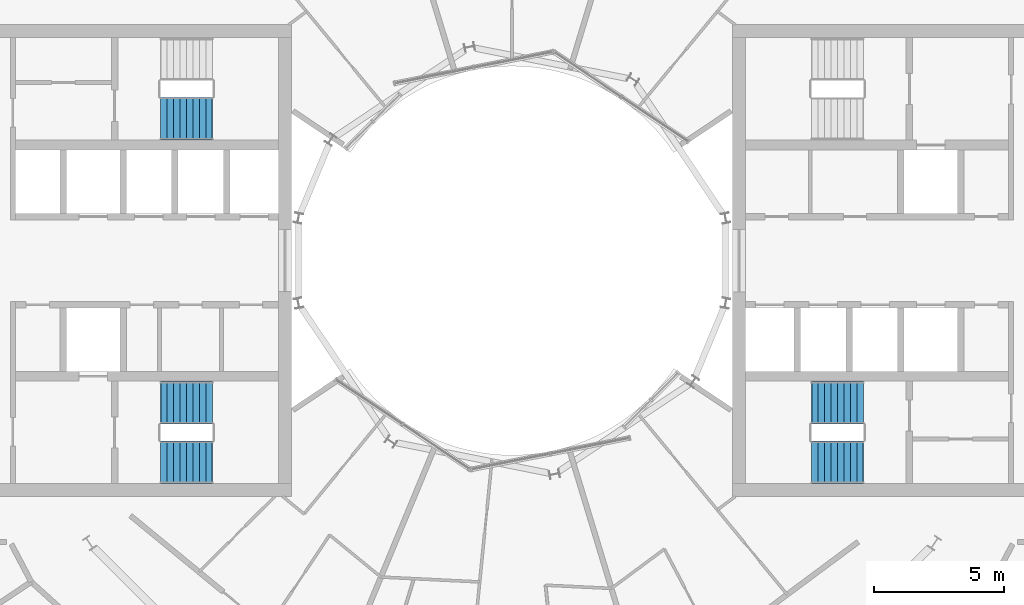
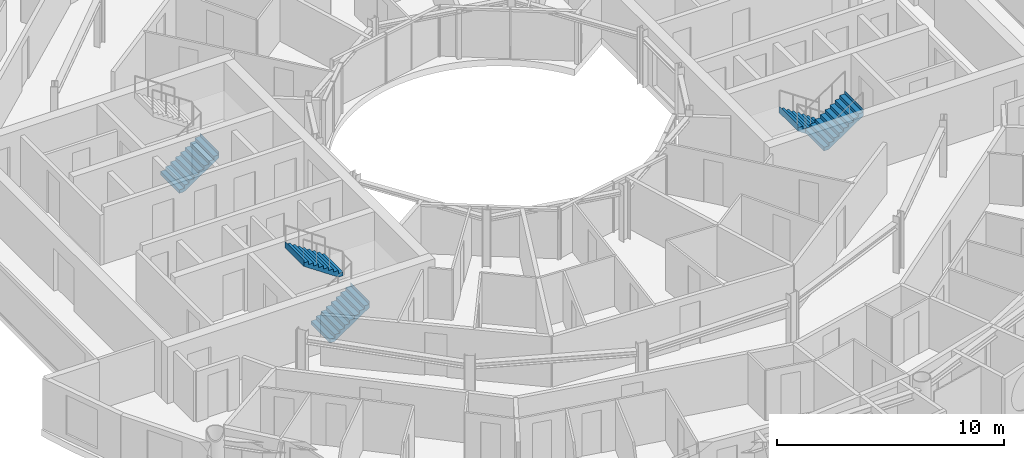
# One storey, part 24 of 26: 5 stair flights, 3 elements without a shape of their own.
"""IFC4 building model written with IfcOpenShell, lengths in metres."""

from ifc_helpers import new_model, si_unit, direction, frame, origin, place, context, subcontext, project, spatial, triangles, material, type_object, element, aggregate, save


model = new_model("IFC4")

# Units and contexts
model_context = context("Model", 3, precision=1e-05, world=origin(), true_north=direction((0.0, 1.0)))
body_context = subcontext(model_context, "Body", "Model", "MODEL_VIEW")
ifc_project = project(units=[si_unit("LENGTHUNIT", "METRE"), si_unit("AREAUNIT", "SQUARE_METRE"), si_unit("VOLUMEUNIT", "CUBIC_METRE"), si_unit("PLANEANGLEUNIT", "RADIAN"), si_unit("MASSUNIT", "GRAM", prefix="KILO")], contexts=[model_context])

# Site, building, storey
site_placement = place(None, origin())
site = spatial("IfcSite", under=ifc_project, at=site_placement, CompositionType="ELEMENT")
building_placement = place(site_placement, origin())
building = spatial("IfcBuilding", under=site, at=building_placement, Name="Maasbend Ring Residences", CompositionType="ELEMENT")
storey_placement = place(building_placement, frame((0.0, 0.0, 154.35009765625)))
storey = spatial("IfcBuildingStorey", under=building, at=storey_placement, Name="L44", CompositionType="ELEMENT", Elevation=154.35009765625)

# Stair, stair flights
ifc_material_1 = material(Name="Concrete C40/50", Category="concrete")
stair_type = type_object("IfcStairType", Name="CORE STAIR 18 RISERS", PredefinedType="HALF_TURN_STAIR", material=ifc_material_1)
stair_1_placement = place(storey_placement, origin())
stair_1 = element("IfcStair", 1, at=stair_1_placement, inside=storey, type_object=stair_type, Name="L44 Exit stair ST-E2", PredefinedType="HALF_TURN_STAIR")
ifc_material_2 = material(Name="Concrete C40/50", Category="concrete")
stair_flight_type = type_object("IfcStairFlightType", Name="CORE STAIR FLIGHT 1650", PredefinedType="STRAIGHT", material=ifc_material_2)
stair_flight_1_placement = place(storey_placement, frame((13.550048828125, -5.47509765625, 0.0), z_axis=(0.0, 0.0, 1.0), x_axis=(-1.0, 0.0, 0.0)))
stair_flight_1 = element("IfcStairFlight", 2, at=stair_flight_1_placement, type_object=stair_flight_type, Name="ST-E2 flight 1", NumberOfRisers=9, NumberOfTreads=8, PredefinedType="STRAIGHT", RiserHeight=0.169444444, TreadLength=0.25, context=body_context, shape_type="Tessellation", body=[
    triangles([(0.24072265625, 0.824951171875, -0.02001953125), (2.0029296875, 0.824951171875, 1.174560546875), (2.0029296875, 0.824951171875, 1.52490234375), (1.989990234375, 0.824951171875, 1.35546875), (1.75, 0.824951171875, 1.35546875), (1.75, 0.824951171875, 1.18603515625), (1.5, 0.824951171875, 1.18603515625), (1.5, 0.824951171875, 1.0166015625), (1.25, 0.824951171875, 1.0166015625), (1.25, 0.824951171875, 0.84716796875), (1.0, 0.824951171875, 0.84716796875), (1.0, 0.824951171875, 0.677734375), (0.75, 0.824951171875, 0.677734375), (0.75, 0.824951171875, 0.50830078125), (0.5, 0.824951171875, 0.50830078125), (0.5, 0.824951171875, 0.3388671875), (0.25, 0.824951171875, 0.3388671875), (0.25, 0.824951171875, 0.16943359375), (0.0, 0.824951171875, 0.16943359375), (0.0, 0.824951171875, 0.0), (-0.0029296875, 0.824951171875, 0.0), (-0.0029296875, 0.824951171875, -0.02001953125), (0.24072265625, 0.27490234375, -0.02001953125), (2.0029296875, 0.27490234375, 1.174560546875), (2.0029296875, 0.27490234375, 1.52490234375), (1.989990234375, 0.27490234375, 1.35546875), (1.75, 0.27490234375, 1.35546875), (1.75, 0.27490234375, 1.18603515625), (1.5, 0.27490234375, 1.18603515625), (1.5, 0.27490234375, 1.0166015625), (1.25, 0.27490234375, 1.0166015625), (1.25, 0.27490234375, 0.84716796875), (1.0, 0.27490234375, 0.84716796875), (1.0, 0.27490234375, 0.677734375), (0.75, 0.27490234375, 0.677734375), (0.75, 0.27490234375, 0.50830078125), (0.5, 0.27490234375, 0.50830078125), (0.5, 0.27490234375, 0.3388671875), (0.25, 0.27490234375, 0.3388671875), (0.25, 0.27490234375, 0.16943359375), (0.0, 0.27490234375, 0.16943359375), (0.0, 0.27490234375, 0.0), (-0.0029296875, 0.27490234375, 0.0), (-0.0029296875, 0.27490234375, -0.02001953125), (0.24072265625, -0.27490234375, -0.02001953125), (2.0029296875, -0.27490234375, 1.174560546875), (2.0029296875, -0.27490234375, 1.52490234375), (1.989990234375, -0.27490234375, 1.35546875), (1.75, -0.27490234375, 1.35546875), (1.75, -0.27490234375, 1.18603515625), (1.5, -0.27490234375, 1.18603515625), (1.5, -0.27490234375, 1.0166015625), (1.25, -0.27490234375, 1.0166015625), (1.25, -0.27490234375, 0.84716796875), (1.0, -0.27490234375, 0.84716796875), (1.0, -0.27490234375, 0.677734375), (0.75, -0.27490234375, 0.677734375), (0.75, -0.27490234375, 0.50830078125), (0.5, -0.27490234375, 0.50830078125), (0.5, -0.27490234375, 0.3388671875), (0.25, -0.27490234375, 0.3388671875), (0.25, -0.27490234375, 0.16943359375), (0.0, -0.27490234375, 0.16943359375), (0.0, -0.27490234375, 0.0), (-0.0029296875, -0.27490234375, 0.0), (-0.0029296875, -0.27490234375, -0.02001953125), (0.24072265625, -0.824951171875, -0.02001953125), (2.0029296875, -0.824951171875, 1.174560546875), (2.0029296875, -0.824951171875, 1.52490234375), (1.989990234375, -0.824951171875, 1.35546875), (1.75, -0.824951171875, 1.35546875), (1.75, -0.824951171875, 1.18603515625), (1.5, -0.824951171875, 1.18603515625), (1.5, -0.824951171875, 1.0166015625), (1.25, -0.824951171875, 1.0166015625), (1.25, -0.824951171875, 0.84716796875), (1.0, -0.824951171875, 0.84716796875), (1.0, -0.824951171875, 0.677734375), (0.75, -0.824951171875, 0.677734375), (0.75, -0.824951171875, 0.50830078125), (0.5, -0.824951171875, 0.50830078125), (0.5, -0.824951171875, 0.3388671875), (0.25, -0.824951171875, 0.3388671875), (0.25, -0.824951171875, 0.16943359375), (0.0, -0.824951171875, 0.16943359375), (0.0, -0.824951171875, 0.0), (-0.0029296875, -0.824951171875, 0.0), (-0.0029296875, -0.824951171875, -0.02001953125)], [[1, 2, 24], [1, 24, 23], [23, 24, 46], [23, 46, 45], [45, 46, 68], [45, 68, 67], [2, 3, 25], [2, 25, 24], [24, 25, 47], [24, 47, 46], [46, 47, 69], [46, 69, 68], [3, 4, 26], [3, 26, 25], [25, 26, 48], [25, 48, 47], [47, 48, 70], [47, 70, 69], [4, 5, 27], [4, 27, 26], [26, 27, 49], [26, 49, 48], [48, 49, 71], [48, 71, 70], [5, 6, 28], [5, 28, 27], [27, 28, 50], [27, 50, 49], [49, 50, 72], [49, 72, 71], [6, 7, 29], [6, 29, 28], [28, 29, 51], [28, 51, 50], [50, 51, 73], [50, 73, 72], [7, 8, 30], [7, 30, 29], [29, 30, 52], [29, 52, 51], [51, 52, 74], [51, 74, 73], [8, 9, 31], [8, 31, 30], [30, 31, 53], [30, 53, 52], [52, 53, 75], [52, 75, 74], [9, 10, 32], [9, 32, 31], [31, 32, 54], [31, 54, 53], [53, 54, 76], [53, 76, 75], [10, 11, 33], [10, 33, 32], [32, 33, 55], [32, 55, 54], [54, 55, 77], [54, 77, 76], [11, 12, 34], [11, 34, 33], [33, 34, 56], [33, 56, 55], [55, 56, 78], [55, 78, 77], [12, 13, 35], [12, 35, 34], [34, 35, 57], [34, 57, 56], [56, 57, 79], [56, 79, 78], [13, 14, 36], [13, 36, 35], [35, 36, 58], [35, 58, 57], [57, 58, 80], [57, 80, 79], [14, 15, 37], [14, 37, 36], [36, 37, 59], [36, 59, 58], [58, 59, 81], [58, 81, 80], [15, 16, 38], [15, 38, 37], [37, 38, 60], [37, 60, 59], [59, 60, 82], [59, 82, 81], [16, 17, 39], [16, 39, 38], [38, 39, 61], [38, 61, 60], [60, 61, 83], [60, 83, 82], [17, 18, 40], [17, 40, 39], [39, 40, 62], [39, 62, 61], [61, 62, 84], [61, 84, 83], [18, 19, 41], [18, 41, 40], [40, 41, 63], [40, 63, 62], [62, 63, 85], [62, 85, 84], [19, 20, 42], [19, 42, 41], [41, 42, 64], [41, 64, 63], [63, 64, 86], [63, 86, 85], [20, 21, 43], [20, 43, 42], [42, 43, 65], [42, 65, 64], [64, 65, 87], [64, 87, 86], [21, 22, 44], [21, 44, 43], [43, 44, 66], [43, 66, 65], [65, 66, 88], [65, 88, 87], [22, 1, 23], [22, 23, 44], [44, 23, 45], [44, 45, 66], [66, 45, 67], [66, 67, 88], [22, 2, 1], [2, 4, 3], [2, 5, 4], [2, 6, 5], [22, 6, 2], [6, 8, 7], [22, 8, 6], [8, 10, 9], [22, 10, 8], [10, 12, 11], [22, 12, 10], [12, 14, 13], [22, 14, 12], [14, 16, 15], [22, 16, 14], [16, 18, 17], [22, 18, 16], [18, 20, 19], [22, 20, 18], [20, 22, 21], [88, 67, 68], [68, 69, 70], [68, 70, 71], [68, 71, 72], [88, 68, 72], [72, 73, 74], [88, 72, 74], [74, 75, 76], [88, 74, 76], [76, 77, 78], [88, 76, 78], [78, 79, 80], [88, 78, 80], [80, 81, 82], [88, 80, 82], [82, 83, 84], [88, 82, 84], [84, 85, 86], [88, 84, 86], [86, 87, 88]], closed=True),
])
stair_flight_2_placement = place(storey_placement, frame((11.550048828125, -7.77490234375, 1.52490234375), z_axis=(0.0, 0.0, 1.0), x_axis=(1.0, 0.0, 0.0)))
stair_flight_2 = element("IfcStairFlight", 3, at=stair_flight_2_placement, type_object=stair_flight_type, Name="ST-E2 flight 2", NumberOfRisers=9, NumberOfTreads=8, PredefinedType="STRAIGHT", RiserHeight=0.169444444, TreadLength=0.25, context=body_context, shape_type="Tessellation", body=[
    triangles([(0.24072265625, 0.824951171875, -0.02001953125), (2.0029296875, 0.824951171875, 1.174560546875), (2.0029296875, 0.824951171875, 1.52490234375), (1.989990234375, 0.824951171875, 1.35546875), (1.75, 0.824951171875, 1.35546875), (1.75, 0.824951171875, 1.18603515625), (1.5, 0.824951171875, 1.18603515625), (1.5, 0.824951171875, 1.0166015625), (1.25, 0.824951171875, 1.0166015625), (1.25, 0.824951171875, 0.84716796875), (1.0, 0.824951171875, 0.84716796875), (1.0, 0.824951171875, 0.677734375), (0.75, 0.824951171875, 0.677734375), (0.75, 0.824951171875, 0.50830078125), (0.5, 0.824951171875, 0.50830078125), (0.5, 0.824951171875, 0.3388671875), (0.25, 0.824951171875, 0.3388671875), (0.25, 0.824951171875, 0.16943359375), (0.0, 0.824951171875, 0.16943359375), (0.0, 0.824951171875, 0.0), (-0.0029296875, 0.824951171875, 0.0), (-0.0029296875, 0.824951171875, -0.02001953125), (0.24072265625, 0.27490234375, -0.02001953125), (2.0029296875, 0.27490234375, 1.174560546875), (2.0029296875, 0.27490234375, 1.52490234375), (1.989990234375, 0.27490234375, 1.35546875), (1.75, 0.27490234375, 1.35546875), (1.75, 0.27490234375, 1.18603515625), (1.5, 0.27490234375, 1.18603515625), (1.5, 0.27490234375, 1.0166015625), (1.25, 0.27490234375, 1.0166015625), (1.25, 0.27490234375, 0.84716796875), (1.0, 0.27490234375, 0.84716796875), (1.0, 0.27490234375, 0.677734375), (0.75, 0.27490234375, 0.677734375), (0.75, 0.27490234375, 0.50830078125), (0.5, 0.27490234375, 0.50830078125), (0.5, 0.27490234375, 0.3388671875), (0.25, 0.27490234375, 0.3388671875), (0.25, 0.27490234375, 0.16943359375), (0.0, 0.27490234375, 0.16943359375), (0.0, 0.27490234375, 0.0), (-0.0029296875, 0.27490234375, 0.0), (-0.0029296875, 0.27490234375, -0.02001953125), (0.24072265625, -0.27490234375, -0.02001953125), (2.0029296875, -0.27490234375, 1.174560546875), (2.0029296875, -0.27490234375, 1.52490234375), (1.989990234375, -0.27490234375, 1.35546875), (1.75, -0.27490234375, 1.35546875), (1.75, -0.27490234375, 1.18603515625), (1.5, -0.27490234375, 1.18603515625), (1.5, -0.27490234375, 1.0166015625), (1.25, -0.27490234375, 1.0166015625), (1.25, -0.27490234375, 0.84716796875), (1.0, -0.27490234375, 0.84716796875), (1.0, -0.27490234375, 0.677734375), (0.75, -0.27490234375, 0.677734375), (0.75, -0.27490234375, 0.50830078125), (0.5, -0.27490234375, 0.50830078125), (0.5, -0.27490234375, 0.3388671875), (0.25, -0.27490234375, 0.3388671875), (0.25, -0.27490234375, 0.16943359375), (0.0, -0.27490234375, 0.16943359375), (0.0, -0.27490234375, 0.0), (-0.0029296875, -0.27490234375, 0.0), (-0.0029296875, -0.27490234375, -0.02001953125), (0.24072265625, -0.824951171875, -0.02001953125), (2.0029296875, -0.824951171875, 1.174560546875), (2.0029296875, -0.824951171875, 1.52490234375), (1.989990234375, -0.824951171875, 1.35546875), (1.75, -0.824951171875, 1.35546875), (1.75, -0.824951171875, 1.18603515625), (1.5, -0.824951171875, 1.18603515625), (1.5, -0.824951171875, 1.0166015625), (1.25, -0.824951171875, 1.0166015625), (1.25, -0.824951171875, 0.84716796875), (1.0, -0.824951171875, 0.84716796875), (1.0, -0.824951171875, 0.677734375), (0.75, -0.824951171875, 0.677734375), (0.75, -0.824951171875, 0.50830078125), (0.5, -0.824951171875, 0.50830078125), (0.5, -0.824951171875, 0.3388671875), (0.25, -0.824951171875, 0.3388671875), (0.25, -0.824951171875, 0.16943359375), (0.0, -0.824951171875, 0.16943359375), (0.0, -0.824951171875, 0.0), (-0.0029296875, -0.824951171875, 0.0), (-0.0029296875, -0.824951171875, -0.02001953125)], [[1, 2, 24], [1, 24, 23], [23, 24, 46], [23, 46, 45], [45, 46, 68], [45, 68, 67], [2, 3, 25], [2, 25, 24], [24, 25, 47], [24, 47, 46], [46, 47, 69], [46, 69, 68], [3, 4, 26], [3, 26, 25], [25, 26, 48], [25, 48, 47], [47, 48, 70], [47, 70, 69], [4, 5, 27], [4, 27, 26], [26, 27, 49], [26, 49, 48], [48, 49, 71], [48, 71, 70], [5, 6, 28], [5, 28, 27], [27, 28, 50], [27, 50, 49], [49, 50, 72], [49, 72, 71], [6, 7, 29], [6, 29, 28], [28, 29, 51], [28, 51, 50], [50, 51, 73], [50, 73, 72], [7, 8, 30], [7, 30, 29], [29, 30, 52], [29, 52, 51], [51, 52, 74], [51, 74, 73], [8, 9, 31], [8, 31, 30], [30, 31, 53], [30, 53, 52], [52, 53, 75], [52, 75, 74], [9, 10, 32], [9, 32, 31], [31, 32, 54], [31, 54, 53], [53, 54, 76], [53, 76, 75], [10, 11, 33], [10, 33, 32], [32, 33, 55], [32, 55, 54], [54, 55, 77], [54, 77, 76], [11, 12, 34], [11, 34, 33], [33, 34, 56], [33, 56, 55], [55, 56, 78], [55, 78, 77], [12, 13, 35], [12, 35, 34], [34, 35, 57], [34, 57, 56], [56, 57, 79], [56, 79, 78], [13, 14, 36], [13, 36, 35], [35, 36, 58], [35, 58, 57], [57, 58, 80], [57, 80, 79], [14, 15, 37], [14, 37, 36], [36, 37, 59], [36, 59, 58], [58, 59, 81], [58, 81, 80], [15, 16, 38], [15, 38, 37], [37, 38, 60], [37, 60, 59], [59, 60, 82], [59, 82, 81], [16, 17, 39], [16, 39, 38], [38, 39, 61], [38, 61, 60], [60, 61, 83], [60, 83, 82], [17, 18, 40], [17, 40, 39], [39, 40, 62], [39, 62, 61], [61, 62, 84], [61, 84, 83], [18, 19, 41], [18, 41, 40], [40, 41, 63], [40, 63, 62], [62, 63, 85], [62, 85, 84], [19, 20, 42], [19, 42, 41], [41, 42, 64], [41, 64, 63], [63, 64, 86], [63, 86, 85], [20, 21, 43], [20, 43, 42], [42, 43, 65], [42, 65, 64], [64, 65, 87], [64, 87, 86], [21, 22, 44], [21, 44, 43], [43, 44, 66], [43, 66, 65], [65, 66, 88], [65, 88, 87], [22, 1, 23], [22, 23, 44], [44, 23, 45], [44, 45, 66], [66, 45, 67], [66, 67, 88], [22, 2, 1], [2, 4, 3], [2, 5, 4], [2, 6, 5], [22, 6, 2], [6, 8, 7], [22, 8, 6], [8, 10, 9], [22, 10, 8], [10, 12, 11], [22, 12, 10], [12, 14, 13], [22, 14, 12], [14, 16, 15], [22, 16, 14], [16, 18, 17], [22, 18, 16], [18, 20, 19], [22, 20, 18], [20, 22, 21], [88, 67, 68], [68, 69, 70], [68, 70, 71], [68, 71, 72], [88, 68, 72], [72, 73, 74], [88, 72, 74], [74, 75, 76], [88, 74, 76], [76, 77, 78], [88, 76, 78], [78, 79, 80], [88, 78, 80], [80, 81, 82], [88, 80, 82], [82, 83, 84], [88, 82, 84], [84, 85, 86], [88, 84, 86], [86, 87, 88]], closed=True),
])
aggregate(stair_1, [stair_flight_1, stair_flight_2])

stair_2_placement = place(storey_placement, origin())
stair_2 = element("IfcStair", 4, at=stair_2_placement, inside=storey, type_object=stair_type, Name="L44 Exit stair ST-W1", PredefinedType="HALF_TURN_STAIR")
stair_flight_3_placement = place(storey_placement, frame((-13.550048828125, -7.77490234375, 0.0), z_axis=(0.0, 0.0, 1.0), x_axis=(1.0, 0.0, 0.0)))
stair_flight_3 = element("IfcStairFlight", 5, at=stair_flight_3_placement, type_object=stair_flight_type, Name="ST-W1 flight 1", NumberOfRisers=9, NumberOfTreads=8, PredefinedType="STRAIGHT", RiserHeight=0.169444444, TreadLength=0.25, context=body_context, shape_type="Tessellation", body=[
    triangles([(0.24072265625, 0.824951171875, -0.02001953125), (2.0029296875, 0.824951171875, 1.174560546875), (2.0029296875, 0.824951171875, 1.52490234375), (1.989990234375, 0.824951171875, 1.35546875), (1.75, 0.824951171875, 1.35546875), (1.75, 0.824951171875, 1.18603515625), (1.5, 0.824951171875, 1.18603515625), (1.5, 0.824951171875, 1.0166015625), (1.25, 0.824951171875, 1.0166015625), (1.25, 0.824951171875, 0.84716796875), (1.0, 0.824951171875, 0.84716796875), (1.0, 0.824951171875, 0.677734375), (0.75, 0.824951171875, 0.677734375), (0.75, 0.824951171875, 0.50830078125), (0.5, 0.824951171875, 0.50830078125), (0.5, 0.824951171875, 0.3388671875), (0.25, 0.824951171875, 0.3388671875), (0.25, 0.824951171875, 0.16943359375), (0.0, 0.824951171875, 0.16943359375), (0.0, 0.824951171875, 0.0), (-0.0029296875, 0.824951171875, 0.0), (-0.0029296875, 0.824951171875, -0.02001953125), (0.24072265625, 0.27490234375, -0.02001953125), (2.0029296875, 0.27490234375, 1.174560546875), (2.0029296875, 0.27490234375, 1.52490234375), (1.989990234375, 0.27490234375, 1.35546875), (1.75, 0.27490234375, 1.35546875), (1.75, 0.27490234375, 1.18603515625), (1.5, 0.27490234375, 1.18603515625), (1.5, 0.27490234375, 1.0166015625), (1.25, 0.27490234375, 1.0166015625), (1.25, 0.27490234375, 0.84716796875), (1.0, 0.27490234375, 0.84716796875), (1.0, 0.27490234375, 0.677734375), (0.75, 0.27490234375, 0.677734375), (0.75, 0.27490234375, 0.50830078125), (0.5, 0.27490234375, 0.50830078125), (0.5, 0.27490234375, 0.3388671875), (0.25, 0.27490234375, 0.3388671875), (0.25, 0.27490234375, 0.16943359375), (0.0, 0.27490234375, 0.16943359375), (0.0, 0.27490234375, 0.0), (-0.0029296875, 0.27490234375, 0.0), (-0.0029296875, 0.27490234375, -0.02001953125), (0.24072265625, -0.27490234375, -0.02001953125), (2.0029296875, -0.27490234375, 1.174560546875), (2.0029296875, -0.27490234375, 1.52490234375), (1.989990234375, -0.27490234375, 1.35546875), (1.75, -0.27490234375, 1.35546875), (1.75, -0.27490234375, 1.18603515625), (1.5, -0.27490234375, 1.18603515625), (1.5, -0.27490234375, 1.0166015625), (1.25, -0.27490234375, 1.0166015625), (1.25, -0.27490234375, 0.84716796875), (1.0, -0.27490234375, 0.84716796875), (1.0, -0.27490234375, 0.677734375), (0.75, -0.27490234375, 0.677734375), (0.75, -0.27490234375, 0.50830078125), (0.5, -0.27490234375, 0.50830078125), (0.5, -0.27490234375, 0.3388671875), (0.25, -0.27490234375, 0.3388671875), (0.25, -0.27490234375, 0.16943359375), (0.0, -0.27490234375, 0.16943359375), (0.0, -0.27490234375, 0.0), (-0.0029296875, -0.27490234375, 0.0), (-0.0029296875, -0.27490234375, -0.02001953125), (0.24072265625, -0.824951171875, -0.02001953125), (2.0029296875, -0.824951171875, 1.174560546875), (2.0029296875, -0.824951171875, 1.52490234375), (1.989990234375, -0.824951171875, 1.35546875), (1.75, -0.824951171875, 1.35546875), (1.75, -0.824951171875, 1.18603515625), (1.5, -0.824951171875, 1.18603515625), (1.5, -0.824951171875, 1.0166015625), (1.25, -0.824951171875, 1.0166015625), (1.25, -0.824951171875, 0.84716796875), (1.0, -0.824951171875, 0.84716796875), (1.0, -0.824951171875, 0.677734375), (0.75, -0.824951171875, 0.677734375), (0.75, -0.824951171875, 0.50830078125), (0.5, -0.824951171875, 0.50830078125), (0.5, -0.824951171875, 0.3388671875), (0.25, -0.824951171875, 0.3388671875), (0.25, -0.824951171875, 0.16943359375), (0.0, -0.824951171875, 0.16943359375), (0.0, -0.824951171875, 0.0), (-0.0029296875, -0.824951171875, 0.0), (-0.0029296875, -0.824951171875, -0.02001953125)], [[1, 2, 24], [1, 24, 23], [23, 24, 46], [23, 46, 45], [45, 46, 68], [45, 68, 67], [2, 3, 25], [2, 25, 24], [24, 25, 47], [24, 47, 46], [46, 47, 69], [46, 69, 68], [3, 4, 26], [3, 26, 25], [25, 26, 48], [25, 48, 47], [47, 48, 70], [47, 70, 69], [4, 5, 27], [4, 27, 26], [26, 27, 49], [26, 49, 48], [48, 49, 71], [48, 71, 70], [5, 6, 28], [5, 28, 27], [27, 28, 50], [27, 50, 49], [49, 50, 72], [49, 72, 71], [6, 7, 29], [6, 29, 28], [28, 29, 51], [28, 51, 50], [50, 51, 73], [50, 73, 72], [7, 8, 30], [7, 30, 29], [29, 30, 52], [29, 52, 51], [51, 52, 74], [51, 74, 73], [8, 9, 31], [8, 31, 30], [30, 31, 53], [30, 53, 52], [52, 53, 75], [52, 75, 74], [9, 10, 32], [9, 32, 31], [31, 32, 54], [31, 54, 53], [53, 54, 76], [53, 76, 75], [10, 11, 33], [10, 33, 32], [32, 33, 55], [32, 55, 54], [54, 55, 77], [54, 77, 76], [11, 12, 34], [11, 34, 33], [33, 34, 56], [33, 56, 55], [55, 56, 78], [55, 78, 77], [12, 13, 35], [12, 35, 34], [34, 35, 57], [34, 57, 56], [56, 57, 79], [56, 79, 78], [13, 14, 36], [13, 36, 35], [35, 36, 58], [35, 58, 57], [57, 58, 80], [57, 80, 79], [14, 15, 37], [14, 37, 36], [36, 37, 59], [36, 59, 58], [58, 59, 81], [58, 81, 80], [15, 16, 38], [15, 38, 37], [37, 38, 60], [37, 60, 59], [59, 60, 82], [59, 82, 81], [16, 17, 39], [16, 39, 38], [38, 39, 61], [38, 61, 60], [60, 61, 83], [60, 83, 82], [17, 18, 40], [17, 40, 39], [39, 40, 62], [39, 62, 61], [61, 62, 84], [61, 84, 83], [18, 19, 41], [18, 41, 40], [40, 41, 63], [40, 63, 62], [62, 63, 85], [62, 85, 84], [19, 20, 42], [19, 42, 41], [41, 42, 64], [41, 64, 63], [63, 64, 86], [63, 86, 85], [20, 21, 43], [20, 43, 42], [42, 43, 65], [42, 65, 64], [64, 65, 87], [64, 87, 86], [21, 22, 44], [21, 44, 43], [43, 44, 66], [43, 66, 65], [65, 66, 88], [65, 88, 87], [22, 1, 23], [22, 23, 44], [44, 23, 45], [44, 45, 66], [66, 45, 67], [66, 67, 88], [22, 2, 1], [2, 4, 3], [2, 5, 4], [2, 6, 5], [22, 6, 2], [6, 8, 7], [22, 8, 6], [8, 10, 9], [22, 10, 8], [10, 12, 11], [22, 12, 10], [12, 14, 13], [22, 14, 12], [14, 16, 15], [22, 16, 14], [16, 18, 17], [22, 18, 16], [18, 20, 19], [22, 20, 18], [20, 22, 21], [88, 67, 68], [68, 69, 70], [68, 70, 71], [68, 71, 72], [88, 68, 72], [72, 73, 74], [88, 72, 74], [74, 75, 76], [88, 74, 76], [76, 77, 78], [88, 76, 78], [78, 79, 80], [88, 78, 80], [80, 81, 82], [88, 80, 82], [82, 83, 84], [88, 82, 84], [84, 85, 86], [88, 84, 86], [86, 87, 88]], closed=True),
])
stair_flight_4_placement = place(storey_placement, frame((-11.550048828125, -5.47509765625, 1.52490234375), z_axis=(0.0, 0.0, 1.0), x_axis=(-1.0, 0.0, 0.0)))
stair_flight_4 = element("IfcStairFlight", 6, at=stair_flight_4_placement, type_object=stair_flight_type, Name="ST-W1 flight 2", NumberOfRisers=9, NumberOfTreads=8, PredefinedType="STRAIGHT", RiserHeight=0.169444444, TreadLength=0.25, context=body_context, shape_type="Tessellation", body=[
    triangles([(0.24072265625, 0.824951171875, -0.02001953125), (2.0029296875, 0.824951171875, 1.174560546875), (2.0029296875, 0.824951171875, 1.52490234375), (1.989990234375, 0.824951171875, 1.35546875), (1.75, 0.824951171875, 1.35546875), (1.75, 0.824951171875, 1.18603515625), (1.5, 0.824951171875, 1.18603515625), (1.5, 0.824951171875, 1.0166015625), (1.25, 0.824951171875, 1.0166015625), (1.25, 0.824951171875, 0.84716796875), (1.0, 0.824951171875, 0.84716796875), (1.0, 0.824951171875, 0.677734375), (0.75, 0.824951171875, 0.677734375), (0.75, 0.824951171875, 0.50830078125), (0.5, 0.824951171875, 0.50830078125), (0.5, 0.824951171875, 0.3388671875), (0.25, 0.824951171875, 0.3388671875), (0.25, 0.824951171875, 0.16943359375), (0.0, 0.824951171875, 0.16943359375), (0.0, 0.824951171875, 0.0), (-0.0029296875, 0.824951171875, 0.0), (-0.0029296875, 0.824951171875, -0.02001953125), (0.24072265625, 0.27490234375, -0.02001953125), (2.0029296875, 0.27490234375, 1.174560546875), (2.0029296875, 0.27490234375, 1.52490234375), (1.989990234375, 0.27490234375, 1.35546875), (1.75, 0.27490234375, 1.35546875), (1.75, 0.27490234375, 1.18603515625), (1.5, 0.27490234375, 1.18603515625), (1.5, 0.27490234375, 1.0166015625), (1.25, 0.27490234375, 1.0166015625), (1.25, 0.27490234375, 0.84716796875), (1.0, 0.27490234375, 0.84716796875), (1.0, 0.27490234375, 0.677734375), (0.75, 0.27490234375, 0.677734375), (0.75, 0.27490234375, 0.50830078125), (0.5, 0.27490234375, 0.50830078125), (0.5, 0.27490234375, 0.3388671875), (0.25, 0.27490234375, 0.3388671875), (0.25, 0.27490234375, 0.16943359375), (0.0, 0.27490234375, 0.16943359375), (0.0, 0.27490234375, 0.0), (-0.0029296875, 0.27490234375, 0.0), (-0.0029296875, 0.27490234375, -0.02001953125), (0.24072265625, -0.27490234375, -0.02001953125), (2.0029296875, -0.27490234375, 1.174560546875), (2.0029296875, -0.27490234375, 1.52490234375), (1.989990234375, -0.27490234375, 1.35546875), (1.75, -0.27490234375, 1.35546875), (1.75, -0.27490234375, 1.18603515625), (1.5, -0.27490234375, 1.18603515625), (1.5, -0.27490234375, 1.0166015625), (1.25, -0.27490234375, 1.0166015625), (1.25, -0.27490234375, 0.84716796875), (1.0, -0.27490234375, 0.84716796875), (1.0, -0.27490234375, 0.677734375), (0.75, -0.27490234375, 0.677734375), (0.75, -0.27490234375, 0.50830078125), (0.5, -0.27490234375, 0.50830078125), (0.5, -0.27490234375, 0.3388671875), (0.25, -0.27490234375, 0.3388671875), (0.25, -0.27490234375, 0.16943359375), (0.0, -0.27490234375, 0.16943359375), (0.0, -0.27490234375, 0.0), (-0.0029296875, -0.27490234375, 0.0), (-0.0029296875, -0.27490234375, -0.02001953125), (0.24072265625, -0.824951171875, -0.02001953125), (2.0029296875, -0.824951171875, 1.174560546875), (2.0029296875, -0.824951171875, 1.52490234375), (1.989990234375, -0.824951171875, 1.35546875), (1.75, -0.824951171875, 1.35546875), (1.75, -0.824951171875, 1.18603515625), (1.5, -0.824951171875, 1.18603515625), (1.5, -0.824951171875, 1.0166015625), (1.25, -0.824951171875, 1.0166015625), (1.25, -0.824951171875, 0.84716796875), (1.0, -0.824951171875, 0.84716796875), (1.0, -0.824951171875, 0.677734375), (0.75, -0.824951171875, 0.677734375), (0.75, -0.824951171875, 0.50830078125), (0.5, -0.824951171875, 0.50830078125), (0.5, -0.824951171875, 0.3388671875), (0.25, -0.824951171875, 0.3388671875), (0.25, -0.824951171875, 0.16943359375), (0.0, -0.824951171875, 0.16943359375), (0.0, -0.824951171875, 0.0), (-0.0029296875, -0.824951171875, 0.0), (-0.0029296875, -0.824951171875, -0.02001953125)], [[1, 2, 24], [1, 24, 23], [23, 24, 46], [23, 46, 45], [45, 46, 68], [45, 68, 67], [2, 3, 25], [2, 25, 24], [24, 25, 47], [24, 47, 46], [46, 47, 69], [46, 69, 68], [3, 4, 26], [3, 26, 25], [25, 26, 48], [25, 48, 47], [47, 48, 70], [47, 70, 69], [4, 5, 27], [4, 27, 26], [26, 27, 49], [26, 49, 48], [48, 49, 71], [48, 71, 70], [5, 6, 28], [5, 28, 27], [27, 28, 50], [27, 50, 49], [49, 50, 72], [49, 72, 71], [6, 7, 29], [6, 29, 28], [28, 29, 51], [28, 51, 50], [50, 51, 73], [50, 73, 72], [7, 8, 30], [7, 30, 29], [29, 30, 52], [29, 52, 51], [51, 52, 74], [51, 74, 73], [8, 9, 31], [8, 31, 30], [30, 31, 53], [30, 53, 52], [52, 53, 75], [52, 75, 74], [9, 10, 32], [9, 32, 31], [31, 32, 54], [31, 54, 53], [53, 54, 76], [53, 76, 75], [10, 11, 33], [10, 33, 32], [32, 33, 55], [32, 55, 54], [54, 55, 77], [54, 77, 76], [11, 12, 34], [11, 34, 33], [33, 34, 56], [33, 56, 55], [55, 56, 78], [55, 78, 77], [12, 13, 35], [12, 35, 34], [34, 35, 57], [34, 57, 56], [56, 57, 79], [56, 79, 78], [13, 14, 36], [13, 36, 35], [35, 36, 58], [35, 58, 57], [57, 58, 80], [57, 80, 79], [14, 15, 37], [14, 37, 36], [36, 37, 59], [36, 59, 58], [58, 59, 81], [58, 81, 80], [15, 16, 38], [15, 38, 37], [37, 38, 60], [37, 60, 59], [59, 60, 82], [59, 82, 81], [16, 17, 39], [16, 39, 38], [38, 39, 61], [38, 61, 60], [60, 61, 83], [60, 83, 82], [17, 18, 40], [17, 40, 39], [39, 40, 62], [39, 62, 61], [61, 62, 84], [61, 84, 83], [18, 19, 41], [18, 41, 40], [40, 41, 63], [40, 63, 62], [62, 63, 85], [62, 85, 84], [19, 20, 42], [19, 42, 41], [41, 42, 64], [41, 64, 63], [63, 64, 86], [63, 86, 85], [20, 21, 43], [20, 43, 42], [42, 43, 65], [42, 65, 64], [64, 65, 87], [64, 87, 86], [21, 22, 44], [21, 44, 43], [43, 44, 66], [43, 66, 65], [65, 66, 88], [65, 88, 87], [22, 1, 23], [22, 23, 44], [44, 23, 45], [44, 45, 66], [66, 45, 67], [66, 67, 88], [22, 2, 1], [2, 4, 3], [2, 5, 4], [2, 6, 5], [22, 6, 2], [6, 8, 7], [22, 8, 6], [8, 10, 9], [22, 10, 8], [10, 12, 11], [22, 12, 10], [12, 14, 13], [22, 14, 12], [14, 16, 15], [22, 16, 14], [16, 18, 17], [22, 18, 16], [18, 20, 19], [22, 20, 18], [20, 22, 21], [88, 67, 68], [68, 69, 70], [68, 70, 71], [68, 71, 72], [88, 68, 72], [72, 73, 74], [88, 72, 74], [74, 75, 76], [88, 74, 76], [76, 77, 78], [88, 76, 78], [78, 79, 80], [88, 78, 80], [80, 81, 82], [88, 80, 82], [82, 83, 84], [88, 82, 84], [84, 85, 86], [88, 84, 86], [86, 87, 88]], closed=True),
])
aggregate(stair_2, [stair_flight_3, stair_flight_4])

# Stair, stair flight
stair_3_placement = place(storey_placement, origin())
stair_3 = element("IfcStair", 7, at=stair_3_placement, inside=storey, type_object=stair_type, Name="L44 Exit stair ST-W2", PredefinedType="HALF_TURN_STAIR")
stair_flight_5_placement = place(storey_placement, frame((-13.550048828125, 5.47509765625, 0.0), z_axis=(0.0, 0.0, 1.0), x_axis=(1.0, 0.0, 0.0)))
stair_flight_5 = element("IfcStairFlight", 8, at=stair_flight_5_placement, type_object=stair_flight_type, Name="ST-W2 flight 1", NumberOfRisers=9, NumberOfTreads=8, PredefinedType="STRAIGHT", RiserHeight=0.169444444, TreadLength=0.25, context=body_context, shape_type="Tessellation", body=[
    triangles([(0.24072265625, 0.824951171875, -0.02001953125), (2.0029296875, 0.824951171875, 1.174560546875), (2.0029296875, 0.824951171875, 1.52490234375), (1.989990234375, 0.824951171875, 1.35546875), (1.75, 0.824951171875, 1.35546875), (1.75, 0.824951171875, 1.18603515625), (1.5, 0.824951171875, 1.18603515625), (1.5, 0.824951171875, 1.0166015625), (1.25, 0.824951171875, 1.0166015625), (1.25, 0.824951171875, 0.84716796875), (1.0, 0.824951171875, 0.84716796875), (1.0, 0.824951171875, 0.677734375), (0.75, 0.824951171875, 0.677734375), (0.75, 0.824951171875, 0.50830078125), (0.5, 0.824951171875, 0.50830078125), (0.5, 0.824951171875, 0.3388671875), (0.25, 0.824951171875, 0.3388671875), (0.25, 0.824951171875, 0.16943359375), (0.0, 0.824951171875, 0.16943359375), (0.0, 0.824951171875, 0.0), (-0.0029296875, 0.824951171875, 0.0), (-0.0029296875, 0.824951171875, -0.02001953125), (0.24072265625, 0.27490234375, -0.02001953125), (2.0029296875, 0.27490234375, 1.174560546875), (2.0029296875, 0.27490234375, 1.52490234375), (1.989990234375, 0.27490234375, 1.35546875), (1.75, 0.27490234375, 1.35546875), (1.75, 0.27490234375, 1.18603515625), (1.5, 0.27490234375, 1.18603515625), (1.5, 0.27490234375, 1.0166015625), (1.25, 0.27490234375, 1.0166015625), (1.25, 0.27490234375, 0.84716796875), (1.0, 0.27490234375, 0.84716796875), (1.0, 0.27490234375, 0.677734375), (0.75, 0.27490234375, 0.677734375), (0.75, 0.27490234375, 0.50830078125), (0.5, 0.27490234375, 0.50830078125), (0.5, 0.27490234375, 0.3388671875), (0.25, 0.27490234375, 0.3388671875), (0.25, 0.27490234375, 0.16943359375), (0.0, 0.27490234375, 0.16943359375), (0.0, 0.27490234375, 0.0), (-0.0029296875, 0.27490234375, 0.0), (-0.0029296875, 0.27490234375, -0.02001953125), (0.24072265625, -0.27490234375, -0.02001953125), (2.0029296875, -0.27490234375, 1.174560546875), (2.0029296875, -0.27490234375, 1.52490234375), (1.989990234375, -0.27490234375, 1.35546875), (1.75, -0.27490234375, 1.35546875), (1.75, -0.27490234375, 1.18603515625), (1.5, -0.27490234375, 1.18603515625), (1.5, -0.27490234375, 1.0166015625), (1.25, -0.27490234375, 1.0166015625), (1.25, -0.27490234375, 0.84716796875), (1.0, -0.27490234375, 0.84716796875), (1.0, -0.27490234375, 0.677734375), (0.75, -0.27490234375, 0.677734375), (0.75, -0.27490234375, 0.50830078125), (0.5, -0.27490234375, 0.50830078125), (0.5, -0.27490234375, 0.3388671875), (0.25, -0.27490234375, 0.3388671875), (0.25, -0.27490234375, 0.16943359375), (0.0, -0.27490234375, 0.16943359375), (0.0, -0.27490234375, 0.0), (-0.0029296875, -0.27490234375, 0.0), (-0.0029296875, -0.27490234375, -0.02001953125), (0.24072265625, -0.824951171875, -0.02001953125), (2.0029296875, -0.824951171875, 1.174560546875), (2.0029296875, -0.824951171875, 1.52490234375), (1.989990234375, -0.824951171875, 1.35546875), (1.75, -0.824951171875, 1.35546875), (1.75, -0.824951171875, 1.18603515625), (1.5, -0.824951171875, 1.18603515625), (1.5, -0.824951171875, 1.0166015625), (1.25, -0.824951171875, 1.0166015625), (1.25, -0.824951171875, 0.84716796875), (1.0, -0.824951171875, 0.84716796875), (1.0, -0.824951171875, 0.677734375), (0.75, -0.824951171875, 0.677734375), (0.75, -0.824951171875, 0.50830078125), (0.5, -0.824951171875, 0.50830078125), (0.5, -0.824951171875, 0.3388671875), (0.25, -0.824951171875, 0.3388671875), (0.25, -0.824951171875, 0.16943359375), (0.0, -0.824951171875, 0.16943359375), (0.0, -0.824951171875, 0.0), (-0.0029296875, -0.824951171875, 0.0), (-0.0029296875, -0.824951171875, -0.02001953125)], [[1, 2, 24], [1, 24, 23], [23, 24, 46], [23, 46, 45], [45, 46, 68], [45, 68, 67], [2, 3, 25], [2, 25, 24], [24, 25, 47], [24, 47, 46], [46, 47, 69], [46, 69, 68], [3, 4, 26], [3, 26, 25], [25, 26, 48], [25, 48, 47], [47, 48, 70], [47, 70, 69], [4, 5, 27], [4, 27, 26], [26, 27, 49], [26, 49, 48], [48, 49, 71], [48, 71, 70], [5, 6, 28], [5, 28, 27], [27, 28, 50], [27, 50, 49], [49, 50, 72], [49, 72, 71], [6, 7, 29], [6, 29, 28], [28, 29, 51], [28, 51, 50], [50, 51, 73], [50, 73, 72], [7, 8, 30], [7, 30, 29], [29, 30, 52], [29, 52, 51], [51, 52, 74], [51, 74, 73], [8, 9, 31], [8, 31, 30], [30, 31, 53], [30, 53, 52], [52, 53, 75], [52, 75, 74], [9, 10, 32], [9, 32, 31], [31, 32, 54], [31, 54, 53], [53, 54, 76], [53, 76, 75], [10, 11, 33], [10, 33, 32], [32, 33, 55], [32, 55, 54], [54, 55, 77], [54, 77, 76], [11, 12, 34], [11, 34, 33], [33, 34, 56], [33, 56, 55], [55, 56, 78], [55, 78, 77], [12, 13, 35], [12, 35, 34], [34, 35, 57], [34, 57, 56], [56, 57, 79], [56, 79, 78], [13, 14, 36], [13, 36, 35], [35, 36, 58], [35, 58, 57], [57, 58, 80], [57, 80, 79], [14, 15, 37], [14, 37, 36], [36, 37, 59], [36, 59, 58], [58, 59, 81], [58, 81, 80], [15, 16, 38], [15, 38, 37], [37, 38, 60], [37, 60, 59], [59, 60, 82], [59, 82, 81], [16, 17, 39], [16, 39, 38], [38, 39, 61], [38, 61, 60], [60, 61, 83], [60, 83, 82], [17, 18, 40], [17, 40, 39], [39, 40, 62], [39, 62, 61], [61, 62, 84], [61, 84, 83], [18, 19, 41], [18, 41, 40], [40, 41, 63], [40, 63, 62], [62, 63, 85], [62, 85, 84], [19, 20, 42], [19, 42, 41], [41, 42, 64], [41, 64, 63], [63, 64, 86], [63, 86, 85], [20, 21, 43], [20, 43, 42], [42, 43, 65], [42, 65, 64], [64, 65, 87], [64, 87, 86], [21, 22, 44], [21, 44, 43], [43, 44, 66], [43, 66, 65], [65, 66, 88], [65, 88, 87], [22, 1, 23], [22, 23, 44], [44, 23, 45], [44, 45, 66], [66, 45, 67], [66, 67, 88], [22, 2, 1], [2, 4, 3], [2, 5, 4], [2, 6, 5], [22, 6, 2], [6, 8, 7], [22, 8, 6], [8, 10, 9], [22, 10, 8], [10, 12, 11], [22, 12, 10], [12, 14, 13], [22, 14, 12], [14, 16, 15], [22, 16, 14], [16, 18, 17], [22, 18, 16], [18, 20, 19], [22, 20, 18], [20, 22, 21], [88, 67, 68], [68, 69, 70], [68, 70, 71], [68, 71, 72], [88, 68, 72], [72, 73, 74], [88, 72, 74], [74, 75, 76], [88, 74, 76], [76, 77, 78], [88, 76, 78], [78, 79, 80], [88, 78, 80], [80, 81, 82], [88, 80, 82], [82, 83, 84], [88, 82, 84], [84, 85, 86], [88, 84, 86], [86, 87, 88]], closed=True),
])
aggregate(stair_3, [stair_flight_5])

save(model, "model.ifc")
